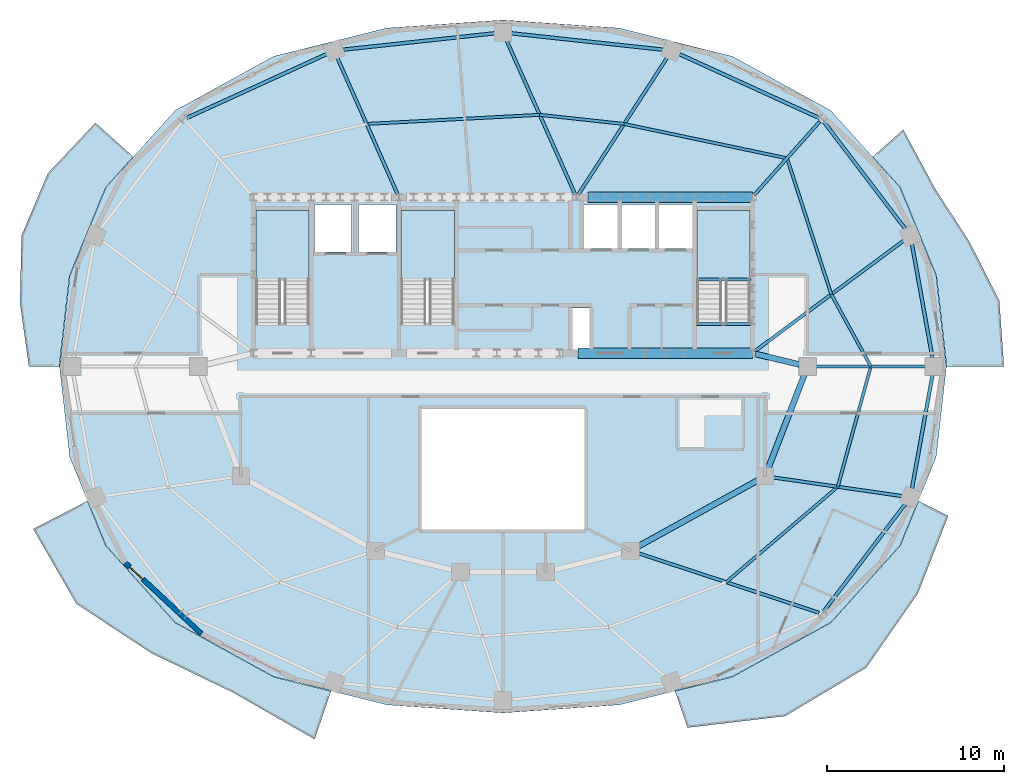
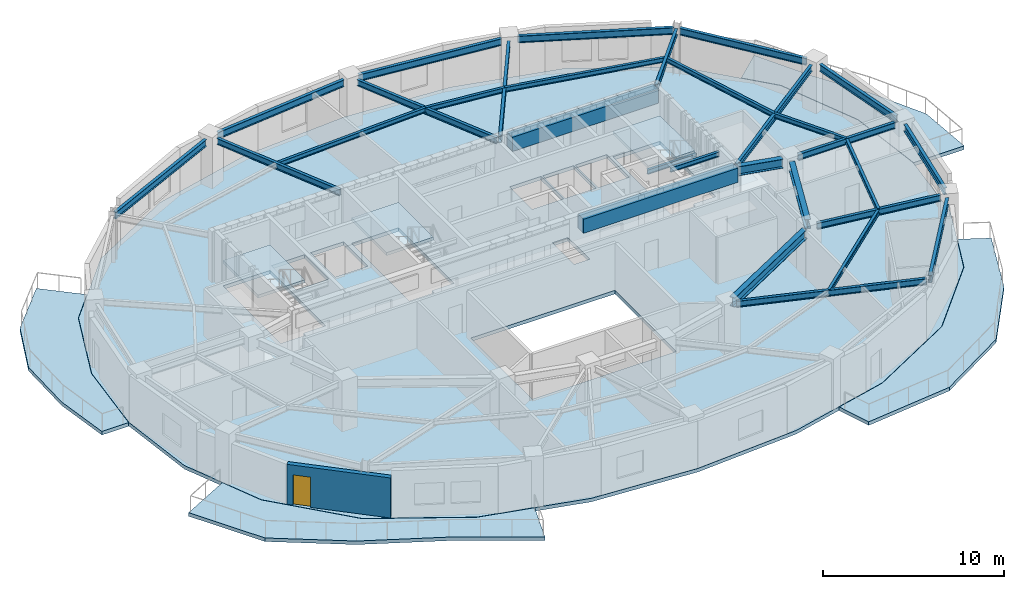
# One storey, part 2 of 9: 30 beams, 8 slabs, 1 door, 1 wall, 1 opening, 3 elements without a shape of their own.
"""IFC4 building model written with IfcOpenShell, lengths in metres."""

from ifc_helpers import new_model, si_unit, direction, frame, frame_2d, origin, origin_2d, place, context, subcontext, project, spatial, polyline, rectangle, i_section, outline, extrude, material, layer, layer_set, material_profile, profile_set, type_object, element, fill, aggregate, save


model = new_model("IFC4")

# Units and contexts
model_context = context("Model", 3, precision=1e-05, world=origin(), true_north=direction((0.0, 1.0)))
body_context = subcontext(model_context, "Body", "Model", "MODEL_VIEW")
ifc_project = project(units=[si_unit("LENGTHUNIT", "METRE"), si_unit("AREAUNIT", "SQUARE_METRE"), si_unit("VOLUMEUNIT", "CUBIC_METRE"), si_unit("PLANEANGLEUNIT", "RADIAN"), si_unit("MASSUNIT", "GRAM", prefix="KILO")], contexts=[model_context])

# Site, building, storey
site_placement = place(None, origin())
site = spatial("IfcSite", under=ifc_project, at=site_placement, CompositionType="ELEMENT")
building_placement = place(site_placement, origin())
building = spatial("IfcBuilding", under=site, at=building_placement, Name="Haldorwick Loom Tower", CompositionType="ELEMENT")
storey_placement = place(building_placement, frame((0.0, 0.0, 244.35009765625)))
storey = spatial("IfcBuildingStorey", under=building, at=storey_placement, Name="L66", CompositionType="ELEMENT", Elevation=244.35009765625)

# Beams
ifc_material_1 = material(Name="Concrete C50 (50 MPa)", Category="concrete")
ifc_material_profile_1 = material_profile(ifc_material_1, rectangle(XDim=0.60009765625, YDim=0.949951171875, at=origin_2d()), Name="RC600X950", Category="concrete")
ifc_profile_set_1 = profile_set([ifc_material_profile_1], Name="Concrete C50 (50 MPa)")
beam_type_1 = type_object("IfcBeamType", Name="STR-BM-CB950", PredefinedType="LINTEL", material=ifc_profile_set_1)
beam_1_placement = place(storey_placement, frame((40.800048828125, 35.550048828125, 2.71484375), z_axis=(1.0, 0.0, 0.0), x_axis=(0.0, 1.0, 0.0)))
element("IfcBeam", 1, at=beam_1_placement, inside=storey, type_object=beam_type_1, Name="L66 Core Coupling Beam CB-N3", PredefinedType="LINTEL", context=body_context, shape_type="SweptSolid", body=[
    extrude(rectangle(XDim=0.60009765625, YDim=0.949951171875, at=origin_2d()), origin(), (0.0, 0.0, 1.0), 9.300048828125),
])
beam_2_placement = place(storey_placement, frame((40.25, 26.75, 2.71484375), z_axis=(1.0, 0.0, 0.0), x_axis=(0.0, 1.0, 0.0)))
element("IfcBeam", 2, at=beam_2_placement, inside=storey, type_object=beam_type_1, Name="L66 Core Coupling Beam CB-S3", PredefinedType="LINTEL", context=body_context, shape_type="SweptSolid", body=[
    extrude(rectangle(XDim=0.60009765625, YDim=0.949951171875, at=origin_2d()), origin(), (0.0, 0.0, 1.0), 9.85009765625),
])
ifc_material_2 = material(Name="Steel CSA G40.21 350W", Category="steel")
ifc_material_profile_2 = material_profile(ifc_material_2, i_section(OverallWidth=0.166015625, OverallDepth=0.31298828125, WebThickness=0.006591796875, FlangeThickness=0.01123046875, at=origin_2d()), Name="W310X45", Category="steel")
ifc_profile_set_2 = profile_set([ifc_material_profile_2], Name="Steel CSA G40.21 350W")
beam_type_2 = type_object("IfcBeamType", Name="STR-BM-J310", PredefinedType="JOIST", material=ifc_profile_set_2)
beam_3_placement = place(storey_placement, frame((56.768310546875, 26.0, 3.033447265625), z_axis=(-0.480863931781, 0.876795232145, 0.0), x_axis=(-0.876795232145, -0.480863931781, 0.0)))
element("IfcBeam", 3, at=beam_3_placement, inside=storey, type_object=beam_type_2, Name="L66 Mid-Bay Secondary Joist 1", PredefinedType="JOIST", context=body_context, shape_type="SweptSolid", body=[
    extrude(i_section(OverallWidth=0.166015625, OverallDepth=0.31298828125, WebThickness=0.006591796875, FlangeThickness=0.01123046875, at=origin_2d()), origin(), (0.0, 0.0, 1.0), 4.639404296875),
])
beam_4_placement = place(storey_placement, frame((54.537353515625, 30.06787109375, 3.033447265625), z_axis=(-0.309277990337, 0.95097167397, 0.0), x_axis=(-0.95097167397, -0.309277990337, 0.0)))
element("IfcBeam", 4, at=beam_4_placement, inside=storey, type_object=beam_type_2, Name="L66 Mid-Bay Secondary Joist 2", PredefinedType="JOIST", context=body_context, shape_type="SweptSolid", body=[
    extrude(i_section(OverallWidth=0.166015625, OverallDepth=0.31298828125, WebThickness=0.006591796875, FlangeThickness=0.01123046875, at=origin_2d()), origin(), (0.0, 0.0, 1.0), 8.08251953125),
])
beam_5_placement = place(storey_placement, frame((52.03759765625, 37.754150390625, 3.033447265625), z_axis=(-0.978553918403, 0.205990846344, 0.0), x_axis=(-0.205990846344, -0.978553918403, 0.0)))
element("IfcBeam", 5, at=beam_5_placement, inside=storey, type_object=beam_type_2, Name="L66 Mid-Bay Secondary Joist 3", PredefinedType="JOIST", context=body_context, shape_type="SweptSolid", body=[
    extrude(i_section(OverallWidth=0.166015625, OverallDepth=0.31298828125, WebThickness=0.006591796875, FlangeThickness=0.01123046875, at=origin_2d()), origin(), (0.0, 0.0, 1.0), 9.39990234375),
])
beam_6_placement = place(storey_placement, frame((42.83935546875, 39.6904296875, 3.033447265625), z_axis=(-0.994216460534, 0.10739473732, 0.0), x_axis=(-0.10739473732, -0.994216460534, 0.0)))
element("IfcBeam", 6, at=beam_6_placement, inside=storey, type_object=beam_type_2, Name="L66 Mid-Bay Secondary Joist 4", PredefinedType="JOIST", context=body_context, shape_type="SweptSolid", body=[
    extrude(i_section(OverallWidth=0.166015625, OverallDepth=0.31298828125, WebThickness=0.006591796875, FlangeThickness=0.01123046875, at=origin_2d()), origin(), (0.0, 0.0, 1.0), 4.792236328125),
])
beam_7_placement = place(storey_placement, frame((38.074951171875, 40.205078125, 3.033447265625), z_axis=(-0.998616726661, -0.052579779693, 0.0), x_axis=(0.052579779693, -0.998616726661, 0.0)))
element("IfcBeam", 7, at=beam_7_placement, inside=storey, type_object=beam_type_2, Name="L66 Mid-Bay Secondary Joist 5", PredefinedType="JOIST", context=body_context, shape_type="SweptSolid", body=[
    extrude(i_section(OverallWidth=0.166015625, OverallDepth=0.31298828125, WebThickness=0.006591796875, FlangeThickness=0.01123046875, at=origin_2d()), origin(), (0.0, 0.0, 1.0), 9.787841796875),
])
beam_8_placement = place(storey_placement, frame((48.6025390625, 13.82080078125, 3.033447265625), z_axis=(0.760066902561, 0.649844830426, 0.0), x_axis=(-0.649844830426, 0.760066902561, 0.0)))
element("IfcBeam", 8, at=beam_8_placement, inside=storey, type_object=beam_type_2, Name="L66 Mid-Bay Secondary Joist 15", PredefinedType="JOIST", context=body_context, shape_type="SweptSolid", body=[
    extrude(i_section(OverallWidth=0.166015625, OverallDepth=0.31298828125, WebThickness=0.006591796875, FlangeThickness=0.01123046875, at=origin_2d()), origin(), (0.0, 0.0, 1.0), 8.28857421875),
])
beam_9_placement = place(storey_placement, frame((54.90234375, 19.20703125, 3.033447265625), z_axis=(0.264879381431, 0.964281552915, 0.0), x_axis=(-0.964281552915, 0.264879381431, 0.0)))
element("IfcBeam", 9, at=beam_9_placement, inside=storey, type_object=beam_type_2, Name="L66 Mid-Bay Secondary Joist 16", PredefinedType="JOIST", context=body_context, shape_type="SweptSolid", body=[
    extrude(i_section(OverallWidth=0.166015625, OverallDepth=0.31298828125, WebThickness=0.006591796875, FlangeThickness=0.01123046875, at=origin_2d()), origin(), (0.0, 0.0, 1.0), 7.044677734375),
])
ifc_material_profile_3 = material_profile(ifc_material_2, i_section(OverallWidth=0.179931640625, OverallDepth=0.4130859375, WebThickness=0.009765625, FlangeThickness=0.01611328125, at=origin_2d()), Name="W410X74", Category="steel")
ifc_profile_set_3 = profile_set([ifc_material_profile_3], Name="Steel CSA G40.21 350W")
beam_type_3 = type_object("IfcBeamType", Name="STR-BM-J410", PredefinedType="JOIST", material=ifc_profile_set_3)
beam_10_placement = place(storey_placement, frame((53.675048828125, 26.0, 2.9833984375), z_axis=(1.0, 0.0, 0.0), x_axis=(0.0, 1.0, 0.0)))
element("IfcBeam", 10, at=beam_10_placement, inside=storey, type_object=beam_type_3, Name="L66 Radial Floor Girder 1", PredefinedType="JOIST", context=body_context, shape_type="SweptSolid", body=[
    extrude(i_section(OverallWidth=0.179931640625, OverallDepth=0.4130859375, WebThickness=0.009765625, FlangeThickness=0.01611328125, at=origin_2d()), origin(), (0.0, 0.0, 1.0), 6.186767578125),
])
beam_11_placement = place(storey_placement, frame((50.212890625, 26.856201171875, 2.9833984375), z_axis=(0.802807271117, 0.596238614518, 0.0), x_axis=(-0.596238614518, 0.802807271117, 0.0)))
element("IfcBeam", 11, at=beam_11_placement, inside=storey, type_object=beam_type_3, Name="L66 Radial Floor Girder 2", PredefinedType="JOIST", context=body_context, shape_type="SweptSolid", body=[
    extrude(i_section(OverallWidth=0.179931640625, OverallDepth=0.4130859375, WebThickness=0.009765625, FlangeThickness=0.01611328125, at=origin_2d()), origin(), (0.0, 0.0, 1.0), 10.476318359375),
])
beam_12_placement = place(storey_placement, frame((50.1884765625, 35.682861328125, 2.9833984375), z_axis=(0.665966842703, 0.745981343212, 0.0), x_axis=(-0.745981343212, 0.665966842703, 0.0)))
element("IfcBeam", 12, at=beam_12_placement, inside=storey, type_object=beam_type_3, Name="L66 Radial Floor Girder 3", PredefinedType="JOIST", context=body_context, shape_type="SweptSolid", body=[
    extrude(i_section(OverallWidth=0.179931640625, OverallDepth=0.4130859375, WebThickness=0.009765625, FlangeThickness=0.01611328125, at=origin_2d()), origin(), (0.0, 0.0, 1.0), 5.55322265625),
])
beam_13_placement = place(storey_placement, frame((40.2470703125, 35.69921875, 2.9833984375), z_axis=(0.544701697466, 0.838629871145, 0.0), x_axis=(-0.838629871145, 0.544701697466, 0.0)))
element("IfcBeam", 13, at=beam_13_placement, inside=storey, type_object=beam_type_3, Name="L66 Radial Floor Girder 4", PredefinedType="JOIST", context=body_context, shape_type="SweptSolid", body=[
    extrude(i_section(OverallWidth=0.179931640625, OverallDepth=0.4130859375, WebThickness=0.009765625, FlangeThickness=0.01611328125, at=origin_2d()), origin(), (0.0, 0.0, 1.0), 9.221435546875),
])
beam_14_placement = place(storey_placement, frame((40.077392578125, 35.712646484375, 2.9833984375), z_axis=(-0.407128364689, 0.913370951293, 0.0), x_axis=(-0.913370951293, -0.407128364689, 0.0)))
element("IfcBeam", 14, at=beam_14_placement, inside=storey, type_object=beam_type_3, Name="L66 Radial Floor Girder 5", PredefinedType="JOIST", context=body_context, shape_type="SweptSolid", body=[
    extrude(i_section(OverallWidth=0.179931640625, OverallDepth=0.4130859375, WebThickness=0.009765625, FlangeThickness=0.01611328125, at=origin_2d()), origin(), (0.0, 0.0, 1.0), 9.5400390625),
])
beam_15_placement = place(storey_placement, frame((30.05810546875, 35.712890625, 2.9833984375), z_axis=(-0.404158193408, 0.914689102756, 0.0), x_axis=(-0.914689102756, -0.404158193408, 0.0)))
element("IfcBeam", 15, at=beam_15_placement, inside=storey, type_object=beam_type_3, Name="L66 Radial Floor Girder 6", PredefinedType="JOIST", context=body_context, shape_type="SweptSolid", body=[
    extrude(i_section(OverallWidth=0.179931640625, OverallDepth=0.4130859375, WebThickness=0.009765625, FlangeThickness=0.01611328125, at=origin_2d()), origin(), (0.0, 0.0, 1.0), 8.400146484375),
])
beam_16_placement = place(storey_placement, frame((43.651123046875, 15.451416015625, 2.9833984375), z_axis=(0.94982454623, -0.312783201882, 0.0), x_axis=(0.312783201882, 0.94982454623, 0.0)))
element("IfcBeam", 16, at=beam_16_placement, inside=storey, type_object=beam_type_3, Name="L66 Radial Floor Girder 15", PredefinedType="JOIST", context=body_context, shape_type="SweptSolid", body=[
    extrude(i_section(OverallWidth=0.179931640625, OverallDepth=0.4130859375, WebThickness=0.009765625, FlangeThickness=0.01611328125, at=origin_2d()), origin(), (0.0, 0.0, 1.0), 10.72314453125),
])
beam_17_placement = place(storey_placement, frame((51.27001953125, 19.732177734375, 2.9833984375), z_axis=(0.989713971376, -0.143060318968, 0.0), x_axis=(0.143060318968, 0.989713971376, 0.0)))
element("IfcBeam", 17, at=beam_17_placement, inside=storey, type_object=beam_type_3, Name="L66 Radial Floor Girder 16", PredefinedType="JOIST", context=body_context, shape_type="SweptSolid", body=[
    extrude(i_section(OverallWidth=0.179931640625, OverallDepth=0.4130859375, WebThickness=0.009765625, FlangeThickness=0.01611328125, at=origin_2d()), origin(), (0.0, 0.0, 1.0), 7.33984375),
])
ifc_material_profile_4 = material_profile(ifc_material_2, i_section(OverallWidth=0.193115234375, OverallDepth=0.466064453125, WebThickness=0.011474609375, FlangeThickness=0.01904296875, at=origin_2d()), Name="W460X97", Category="steel")
ifc_profile_set_4 = profile_set([ifc_material_profile_4], Name="Steel CSA G40.21 350W")
beam_type_4 = type_object("IfcBeamType", Name="STR-BM-SP460", PredefinedType="SPANDREL", material=ifc_profile_set_4)
beam_18_placement = place(storey_placement, frame((60.25244140625, 26.467529296875, 2.956787109375), z_axis=(-0.177515201984, 0.984118058499, 0.0), x_axis=(-0.984118058499, -0.177515201984, 0.0)))
element("IfcBeam", 18, at=beam_18_placement, inside=storey, type_object=beam_type_4, Name="L66 Perimeter Spandrel 1", PredefinedType="SPANDREL", context=body_context, shape_type="SweptSolid", body=[
    extrude(i_section(OverallWidth=0.193115234375, OverallDepth=0.466064453125, WebThickness=0.011474609375, FlangeThickness=0.01904296875, at=origin_2d()), origin(), (0.0, 0.0, 1.0), 6.5546875),
])
beam_19_placement = place(storey_placement, frame((58.717041015625, 33.763916015625, 2.956787109375), z_axis=(-0.605410439126, 0.795913437629, 0.0), x_axis=(-0.795913437629, -0.605410439126, 0.0)))
element("IfcBeam", 19, at=beam_19_placement, inside=storey, type_object=beam_type_4, Name="L66 Perimeter Spandrel 2", PredefinedType="SPANDREL", context=body_context, shape_type="SweptSolid", body=[
    extrude(i_section(OverallWidth=0.193115234375, OverallDepth=0.466064453125, WebThickness=0.011474609375, FlangeThickness=0.01904296875, at=origin_2d()), origin(), (0.0, 0.0, 1.0), 7.604736328125),
])
beam_20_placement = place(storey_placement, frame((53.84326171875, 40.0322265625, 2.956787109375), z_axis=(-0.909567887863, 0.415555360172, 0.0), x_axis=(-0.415555360172, -0.909567887863, 0.0)))
element("IfcBeam", 20, at=beam_20_placement, inside=storey, type_object=beam_type_4, Name="L66 Perimeter Spandrel 3", PredefinedType="SPANDREL", context=body_context, shape_type="SweptSolid", body=[
    extrude(i_section(OverallWidth=0.193115234375, OverallDepth=0.466064453125, WebThickness=0.011474609375, FlangeThickness=0.01904296875, at=origin_2d()), origin(), (0.0, 0.0, 1.0), 8.666259765625),
])
for number, where, z_axis, x_axis, name in (
    (21, (45.056396484375, 43.8818359375, 2.956787109375), (-0.994216353781, 0.107395725588, 0.0), (-0.107395725588, -0.994216353781, 0.0), "L66 Perimeter Spandrel 4"),
    (22, (35.527587890625, 44.80908203125, 2.956787109375), (-0.994216353781, -0.107395725588, 0.0), (0.107395725588, -0.994216353781, 0.0), "L66 Perimeter Spandrel 5"),
):
    element("IfcBeam", number, at=place(storey_placement, frame(where, z_axis=z_axis, x_axis=x_axis)), inside=storey, type_object=beam_type_4, Name=name, PredefinedType="SPANDREL", context=body_context, shape_type="SweptSolid", body=[
        extrude(i_section(OverallWidth=0.193115234375, OverallDepth=0.466064453125, WebThickness=0.011474609375, FlangeThickness=0.01904296875, at=origin_2d()), origin(), (0.0, 0.0, 1.0), 8.634033203125),
    ])
beam_21_placement = place(storey_placement, frame((26.039306640625, 43.633544921875, 2.956787109375), z_axis=(-0.909567887863, -0.415555360172, 0.0), x_axis=(0.415555360172, -0.909567887863, 0.0)))
element("IfcBeam", 23, at=beam_21_placement, inside=storey, type_object=beam_type_4, Name="L66 Perimeter Spandrel 6", PredefinedType="SPANDREL", context=body_context, shape_type="SweptSolid", body=[
    extrude(i_section(OverallWidth=0.193115234375, OverallDepth=0.466064453125, WebThickness=0.011474609375, FlangeThickness=0.01904296875, at=origin_2d()), origin(), (0.0, 0.0, 1.0), 8.666259765625),
])
beam_22_placement = place(storey_placement, frame((54.113037109375, 12.183349609375, 2.956787109375), z_axis=(0.605410439126, 0.795913437629, 0.0), x_axis=(-0.795913437629, 0.605410439126, 0.0)))
element("IfcBeam", 24, at=beam_22_placement, inside=storey, type_object=beam_type_4, Name="L66 Perimeter Spandrel 15", PredefinedType="SPANDREL", context=body_context, shape_type="SweptSolid", body=[
    extrude(i_section(OverallWidth=0.193115234375, OverallDepth=0.466064453125, WebThickness=0.011474609375, FlangeThickness=0.01904296875, at=origin_2d()), origin(), (0.0, 0.0, 1.0), 7.604736328125),
])
beam_23_placement = place(storey_placement, frame((59.0888671875, 19.081787109375, 2.956787109375), z_axis=(0.177515201984, 0.984118058499, 0.0), x_axis=(-0.984118058499, 0.177515201984, 0.0)))
element("IfcBeam", 25, at=beam_23_placement, inside=storey, type_object=beam_type_4, Name="L66 Perimeter Spandrel 16", PredefinedType="SPANDREL", context=body_context, shape_type="SweptSolid", body=[
    extrude(i_section(OverallWidth=0.193115234375, OverallDepth=0.466064453125, WebThickness=0.011474609375, FlangeThickness=0.01904296875, at=origin_2d()), origin(), (0.0, 0.0, 1.0), 6.5546875),
])
ifc_material_profile_5 = material_profile(ifc_material_2, i_section(OverallWidth=0.166015625, OverallDepth=0.31298828125, WebThickness=0.006591796875, FlangeThickness=0.01123046875, at=origin_2d()), Name="W310X45", Category="steel")
ifc_profile_set_5 = profile_set([ifc_material_profile_5], Name="Steel CSA G40.21 350W")
beam_type_5 = type_object("IfcBeamType", Name="STR-BM-STRM", PredefinedType="BEAM", material=ifc_profile_set_5)
for number, where, z_axis, x_axis, name in (
    (26, (46.889892578125, 28.39990234375, 3.033447265625), (1.0, 0.0, 0.0), (0.0, 1.0, 0.0), "L66 Stair ST-02 Landing Edge Trimmer"),
    (27, (46.889892578125, 30.919921875, 1.368408203125), (1.0, 0.0, 0.0), (0.0, 1.0, 0.0), "L66 Stair ST-02 Half-Landing Trimmer 1"),
):
    element("IfcBeam", number, at=place(storey_placement, frame(where, z_axis=z_axis, x_axis=x_axis)), inside=storey, type_object=beam_type_5, Name=name, PredefinedType="BEAM", context=body_context, shape_type="SweptSolid", body=[
        extrude(i_section(OverallWidth=0.166015625, OverallDepth=0.31298828125, WebThickness=0.006591796875, FlangeThickness=0.01123046875, at=origin_2d()), origin(), (0.0, 0.0, 1.0), 3.1201171875),
    ])
ifc_material_profile_6 = material_profile(ifc_material_2, i_section(OverallWidth=0.324951171875, OverallDepth=0.615966796875, WebThickness=0.013916015625, FlangeThickness=0.021484375, at=origin_2d()), Name="W610X174", Category="steel")
ifc_profile_set_6 = profile_set([ifc_material_profile_6], Name="Steel CSA G40.21 350W")
beam_type_6 = type_object("IfcBeamType", Name="STR-BM-W610A", PredefinedType="BEAM", material=ifc_profile_set_6)
beam_24_placement = place(storey_placement, frame((50.2431640625, 26.70849609375, 2.8818359375), z_axis=(0.972464127734, -0.233052612665, 0.0), x_axis=(0.233052612665, 0.972464127734, 0.0)))
element("IfcBeam", 28, at=beam_24_placement, inside=storey, type_object=beam_type_6, Name="L66 Inner Ring Girder 1", PredefinedType="BEAM", context=body_context, shape_type="SweptSolid", body=[
    extrude(i_section(OverallWidth=0.324951171875, OverallDepth=0.615966796875, WebThickness=0.013916015625, FlangeThickness=0.021484375, at=origin_2d()), origin(), (0.0, 0.0, 1.0), 2.5654296875),
])
beam_25_placement = place(storey_placement, frame((53.028564453125, 25.556884765625, 2.8818359375), z_axis=(-0.36101093026, -0.93256158415, 0.0), x_axis=(0.93256158415, -0.36101093026, 0.0)))
element("IfcBeam", 29, at=beam_25_placement, inside=storey, type_object=beam_type_6, Name="L66 Inner Ring Girder 2", PredefinedType="BEAM", context=body_context, shape_type="SweptSolid", body=[
    extrude(i_section(OverallWidth=0.324951171875, OverallDepth=0.615966796875, WebThickness=0.013916015625, FlangeThickness=0.021484375, at=origin_2d()), origin(), (0.0, 0.0, 1.0), 5.6982421875),
])
beam_26_placement = place(storey_placement, frame((50.38427734375, 19.5703125, 2.8818359375), z_axis=(-0.875243645673, -0.483682293152, 0.0), x_axis=(0.483682293152, -0.875243645673, 0.0)))
element("IfcBeam", 30, at=beam_26_placement, inside=storey, type_object=beam_type_6, Name="L66 Inner Ring Girder 3", PredefinedType="BEAM", context=body_context, shape_type="SweptSolid", body=[
    extrude(i_section(OverallWidth=0.324951171875, OverallDepth=0.615966796875, WebThickness=0.013916015625, FlangeThickness=0.021484375, at=origin_2d()), origin(), (0.0, 0.0, 1.0), 7.7333984375),
])

# Slabs
ifc_material_3 = material(Name="Concrete C40 (40 MPa)", Category="concrete")
ifc_layer_1 = layer(ifc_material_3, 0.239990234375, Name="Concrete C40 (40 MPa)", Category="concrete")
ifc_layer_set_1 = layer_set([ifc_layer_1], Name="Concrete C40 (40 MPa)")
slab_type_1 = type_object("IfcSlabType", Name="STR-SLB-BAL240", PredefinedType="FLOOR", material=ifc_layer_set_1)
slab_1_placement = place(storey_placement, frame((0.0, 0.0, -0.239990234375)))
element("IfcSlab", 31, at=slab_1_placement, inside=storey, type_object=slab_type_1, Name="L66 Sinusoidal Balcony Terrace BAL_SE", PredefinedType="FLOOR", context=body_context, shape_type="SweptSolid", body=[
    extrude(outline(polyline([(59.460205078125, 18.407470703125), (58.427978515625, 15.88427734375), (58.427490234375, 15.883056640625), (58.4267578125, 15.882080078125), (58.426025390625, 15.881103515625), (58.42529296875, 15.8798828125), (54.51123046875, 11.53662109375), (54.51025390625, 11.535400390625), (54.5087890625, 11.534423828125), (54.50732421875, 11.53369140625), (48.947998046875, 8.475830078125), (48.947021484375, 8.475341796875), (48.94580078125, 8.474853515625), (48.9443359375, 8.474365234375), (45.718017578125, 7.668701171875), (46.41650390625, 5.607177734375), (51.93310546875, 6.259033203125), (56.5009765625, 8.985595703125), (59.41943359375, 13.173828125), (61.13818359375, 17.55810546875), (59.460205078125, 18.407470703125)])), origin(), (0.0, 0.0, 1.0), 0.239990234375),
])
slab_2_placement = place(storey_placement, frame((0.0, 0.0, -0.239990234375)))
element("IfcSlab", 32, at=slab_2_placement, inside=storey, type_object=slab_type_1, Name="L66 Sinusoidal Balcony Terrace BAL_SW", PredefinedType="FLOOR", context=body_context, shape_type="SweptSolid", body=[
    extrude(outline(polyline([(26.282958984375, 7.668701171875), (23.0556640625, 8.474365234375), (23.05419921875, 8.474853515625), (23.052978515625, 8.475341796875), (23.052001953125, 8.475830078125), (17.49267578125, 11.53369140625), (17.4912109375, 11.534423828125), (17.48974609375, 11.535400390625), (17.48876953125, 11.53662109375), (13.57470703125, 15.8798828125), (13.573974609375, 15.881103515625), (13.5732421875, 15.882080078125), (13.572509765625, 15.883056640625), (13.572021484375, 15.88427734375), (12.54052734375, 18.40576171875), (9.477294921875, 16.823974609375), (11.913330078125, 12.603271484375), (16.146240234375, 9.814208984375), (20.76220703125, 7.591064453125), (25.37060546875, 4.94921875), (26.282958984375, 7.668701171875)])), origin(), (0.0, 0.0, 1.0), 0.239990234375),
])
slab_3_placement = place(storey_placement, frame((0.0, 0.0, -0.239990234375)))
element("IfcSlab", 33, at=slab_3_placement, inside=storey, type_object=slab_type_1, Name="L66 Sinusoidal Balcony Terrace BAL_WNW", PredefinedType="FLOOR", context=body_context, shape_type="SweptSolid", body=[
    extrude(outline(polyline([(10.9482421875, 26.0), (10.9482421875, 26.001708984375), (11.529296875, 31.12109375), (11.529541015625, 31.12255859375), (11.530029296875, 31.123779296875), (11.530517578125, 31.125), (13.572021484375, 36.11572265625), (13.572509765625, 36.116943359375), (13.5732421875, 36.117919921875), (13.573974609375, 36.118896484375), (13.57470703125, 36.1201171875), (15.124755859375, 37.840087890625), (12.99462890625, 39.756103515625), (10.31298828125, 36.9169921875), (8.817626953125, 33.386474609375), (8.7333984375, 29.56591796875), (9.23681640625, 26.0), (10.9482421875, 26.0)])), origin(), (0.0, 0.0, 1.0), 0.239990234375),
])
slab_4_placement = place(storey_placement, frame((0.0, 0.0, -0.239990234375)))
element("IfcSlab", 34, at=slab_4_placement, inside=storey, type_object=slab_type_1, Name="L66 Sinusoidal Balcony Terrace BAL_ENE", PredefinedType="FLOOR", context=body_context, shape_type="SweptSolid", body=[
    extrude(outline(polyline([(56.875732421875, 37.839599609375), (58.42529296875, 36.1201171875), (58.426025390625, 36.118896484375), (58.4267578125, 36.117919921875), (58.427490234375, 36.116943359375), (58.427978515625, 36.11572265625), (60.469482421875, 31.125), (60.469970703125, 31.123779296875), (60.470458984375, 31.12255859375), (60.470703125, 31.12109375), (61.0517578125, 26.001708984375), (61.0517578125, 26.0), (64.286865234375, 26.0), (64.02001953125, 29.71875), (62.3388671875, 33.035400390625), (60.3818359375, 36.065673828125), (58.596435546875, 39.375732421875), (56.875732421875, 37.839599609375)])), origin(), (0.0, 0.0, 1.0), 0.239990234375),
])

# Stair, slab
stair_type = type_object("IfcStairType", Name="STR-STR-CORE", PredefinedType="HALF_TURN_STAIR", material=ifc_material_3)
stair_1_placement = place(storey_placement, origin())
stair_1 = element("IfcStair", 35, at=stair_1_placement, inside=storey, type_object=stair_type, Name="L66 Exit Stair ST-01", PredefinedType="HALF_TURN_STAIR")
ifc_layer_2 = layer(ifc_material_3, 0.199951171875, Name="Concrete C40 (40 MPa)", Category="concrete")
ifc_layer_set_2 = layer_set([ifc_layer_2], Name="Concrete C40 (40 MPa)")
slab_type_2 = type_object("IfcSlabType", Name="STR-SLB-LAND200", PredefinedType="LANDING", material=ifc_layer_set_2)
slab_5_placement = place(storey_placement, frame((0.0, 0.0, 1.52490234375)))
slab_5 = element("IfcSlab", 36, at=slab_5_placement, type_object=slab_type_2, Name="ST-01 landing 1", PredefinedType="LANDING", context=body_context, shape_type="SweptSolid", body=[
    extrude(outline(polyline([(25.050048828125, 30.919921875), (25.050048828125, 34.800048828125), (22.050048828125, 34.800048828125), (22.050048828125, 30.919921875), (25.050048828125, 30.919921875)])), origin(), (0.0, 0.0, 1.0), 0.199951171875),
])
aggregate(stair_1, [slab_5])

stair_2_placement = place(storey_placement, origin())
stair_2 = element("IfcStair", 37, at=stair_2_placement, inside=storey, type_object=stair_type, Name="L66 Exit Stair ST-02", PredefinedType="HALF_TURN_STAIR")
slab_6_placement = place(storey_placement, frame((0.0, 0.0, 1.52490234375)))
slab_6 = element("IfcSlab", 38, at=slab_6_placement, type_object=slab_type_2, Name="ST-02 landing 1", PredefinedType="LANDING", context=body_context, shape_type="SweptSolid", body=[
    extrude(outline(polyline([(49.949951171875, 30.919921875), (49.949951171875, 34.800048828125), (46.949951171875, 34.800048828125), (46.949951171875, 30.919921875), (49.949951171875, 30.919921875)])), origin(), (0.0, 0.0, 1.0), 0.199951171875),
])
aggregate(stair_2, [slab_6])

stair_3_placement = place(storey_placement, origin())
stair_3 = element("IfcStair", 39, at=stair_3_placement, inside=storey, type_object=stair_type, Name="L66 Exit Stair ST-03", PredefinedType="HALF_TURN_STAIR")
slab_7_placement = place(storey_placement, frame((0.0, 0.0, 1.52490234375)))
slab_7 = element("IfcSlab", 40, at=slab_7_placement, type_object=slab_type_2, Name="ST-03 landing 1", PredefinedType="LANDING", context=body_context, shape_type="SweptSolid", body=[
    extrude(outline(polyline([(33.25, 30.919921875), (33.25, 34.800048828125), (30.25, 34.800048828125), (30.25, 30.919921875), (33.25, 30.919921875)])), origin(), (0.0, 0.0, 1.0), 0.199951171875),
])
aggregate(stair_3, [slab_7])

# Slab
ifc_layer_3 = layer(ifc_material_3, 0.239990234375, Name="Concrete C40 (40 MPa)", Category="concrete")
ifc_layer_set_3 = layer_set([ifc_layer_3], Name="Concrete C40 (40 MPa)")
slab_type_3 = type_object("IfcSlabType", Name="STR-SLB-RES240", PredefinedType="FLOOR", material=ifc_layer_set_3)
slab_8_placement = place(storey_placement, frame((0.0, 0.0, -0.239990234375)))
element("IfcSlab", 41, at=slab_8_placement, inside=storey, type_object=slab_type_3, Name="L66 Residential Structural Floor Slab", PredefinedType="FLOOR", context=body_context, shape_type="SweptSolid", body=[
    extrude(outline(polyline([(54.500244140625, 11.546630859375), (58.4140625, 15.889892578125), (60.455810546875, 20.880615234375), (61.036865234375, 26.0), (60.455810546875, 31.119384765625), (58.4140625, 36.110107421875), (54.500244140625, 40.453369140625), (48.94091796875, 43.510986328125), (42.552978515625, 45.10595703125), (36.0, 45.56005859375), (29.447021484375, 45.10595703125), (23.05908203125, 43.510986328125), (17.499755859375, 40.453369140625), (13.5859375, 36.110107421875), (11.544189453125, 31.119384765625), (10.963134765625, 26.0), (11.544189453125, 20.880615234375), (13.5859375, 15.889892578125), (17.499755859375, 11.546630859375), (23.05908203125, 8.489013671875), (29.447021484375, 6.89404296875), (36.0, 6.43994140625), (42.552978515625, 6.89404296875), (48.94091796875, 8.489013671875), (54.500244140625, 11.546630859375)]), holes=[polyline([(31.39990234375, 16.800048828125), (31.39990234375, 23.60009765625), (40.60009765625, 23.60009765625), (40.60009765625, 16.800048828125), (31.39990234375, 16.800048828125)]), polyline([(40.89990234375, 26.89990234375), (39.89990234375, 26.89990234375), (39.89990234375, 29.300048828125), (40.89990234375, 29.300048828125), (40.89990234375, 26.89990234375)]), polyline([(23.6201171875, 28.39990234375), (22.050048828125, 28.39990234375), (22.050048828125, 34.800048828125), (25.050048828125, 34.800048828125), (25.050048828125, 28.639892578125), (23.6201171875, 28.639892578125), (23.6201171875, 28.39990234375)]), polyline([(30.25, 28.39990234375), (30.25, 34.800048828125), (33.25, 34.800048828125), (33.25, 28.639892578125), (31.820068359375, 28.639892578125), (31.820068359375, 28.39990234375), (30.25, 28.39990234375)]), polyline([(46.949951171875, 28.39990234375), (46.949951171875, 34.800048828125), (49.949951171875, 34.800048828125), (49.949951171875, 28.639892578125), (48.52001953125, 28.639892578125), (48.52001953125, 28.39990234375), (46.949951171875, 28.39990234375)]), polyline([(27.449951171875, 32.449951171875), (25.35009765625, 32.449951171875), (25.35009765625, 35.14990234375), (27.449951171875, 35.14990234375), (27.449951171875, 32.449951171875)]), polyline([(29.949951171875, 32.449951171875), (27.85009765625, 32.449951171875), (27.85009765625, 35.14990234375), (29.949951171875, 35.14990234375), (29.949951171875, 32.449951171875)]), polyline([(42.550048828125, 32.64990234375), (40.550048828125, 32.64990234375), (40.550048828125, 35.14990234375), (42.550048828125, 35.14990234375), (42.550048828125, 32.64990234375)]), polyline([(42.64990234375, 32.64990234375), (42.64990234375, 35.14990234375), (44.64990234375, 35.14990234375), (44.64990234375, 32.64990234375), (42.64990234375, 32.64990234375)]), polyline([(44.75, 32.64990234375), (44.75, 35.14990234375), (46.75, 35.14990234375), (46.75, 32.64990234375), (44.75, 32.64990234375)])]), origin(), (0.0, 0.0, 1.0), 0.239990234375),
])

# Wall, opening, door
ifc_material_4 = material(Name="Pressed Clay Face Brick and Insulated Masonry Backup Assembly", Category="masonry")
ifc_layer_4 = layer(ifc_material_4, 0.280029296875, Name="Pressed Clay Face Brick and Insulated Masonry Backup Assembly", Category="masonry")
ifc_layer_set_4 = layer_set([ifc_layer_4], Name="Pressed Clay Face Brick and Insulated Masonry Backup Assembly")
wall_type = type_object("IfcWallType", Name="ARC-WL-EXT280", PredefinedType="STANDARD", material=ifc_layer_set_4)
wall_placement = place(storey_placement, frame((14.677490234375, 14.91015625, 0.0), z_axis=(0.0, 0.0, 1.0), x_axis=(0.731924682982, -0.68138554317, 0.0)))
wall = element("IfcWall", 42, at=wall_placement, inside=storey, type_object=wall_type, Name="L66 Brick Pier and Spandrel Wall 15", PredefinedType="STANDARD", context=body_context, shape_type="SweptSolid", body=[
    extrude(rectangle(XDim=5.87890625, YDim=0.280029296875, at=frame_2d((2.939453125, 0.0))), origin(), (0.0, 0.0, 1.0), 2.698974609375),
])
opening_placement = place(wall_placement, frame((0.340087890625, 0.0, 0.0)))
opening = element("IfcOpeningElement", 43, at=opening_placement, cuts=wall, Name="Opening D-BL10", PredefinedType="OPENING", context=body_context, shape_type="SweptSolid", body=[
    extrude(rectangle(XDim=1.0, YDim=2.0400390625, at=frame_2d((0.5, 1.02001953125))), frame((0.0, 0.14990234375, 0.0), z_axis=(0.0, -1.0, 0.0), x_axis=(1.0, 0.0, 0.0)), (0.0, 0.0, 1.0), 0.300048828125),
])
ifc_material_5 = material(Name="Thermally Broken Anodized Aluminium Curtain Wall Framing", Category="aluminium")
door_type = type_object("IfcDoorType", Name="ARC-DR-BAL100", OperationType="NOTDEFINED", PredefinedType="DOOR", material=ifc_material_5)
door_placement = place(opening_placement, origin())
door = element("IfcDoor", 44, at=door_placement, inside=storey, type_object=door_type, Name="L66 Outdoor Terrace Door SLB-L66-BAL_SW", OperationType="SINGLE_SWING_LEFT", OverallHeight=2.0400390625, OverallWidth=1.0, PredefinedType="DOOR", context=body_context, shape_type="SweptSolid", body=[
    extrude(rectangle(XDim=1.0, YDim=2.0400390625, at=frame_2d((0.5, 1.02001953125))), frame((0.0, 0.02490234375, 0.0), z_axis=(0.0, -1.0, 0.0), x_axis=(1.0, 0.0, 0.0)), (0.0, 0.0, 1.0), 0.050048828125),
])
fill(opening, door)

save(model, "model.ifc")
